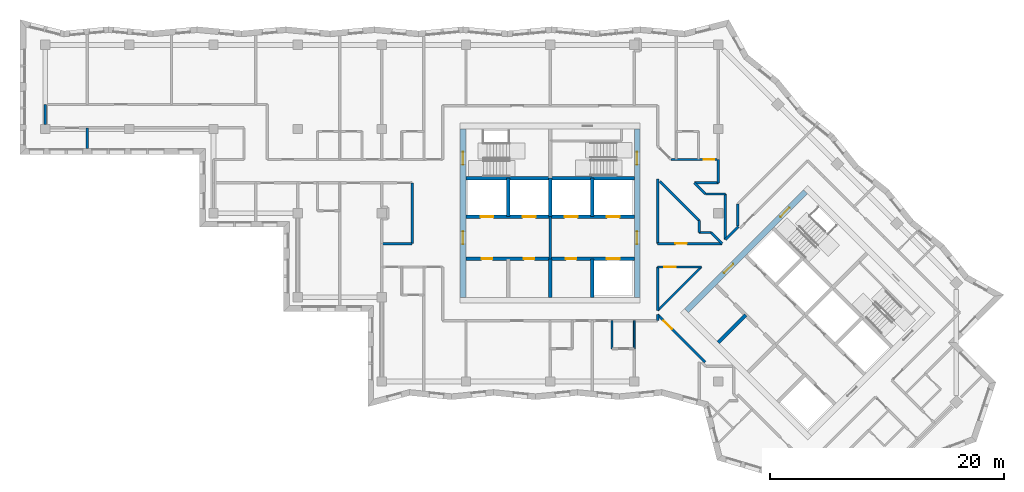
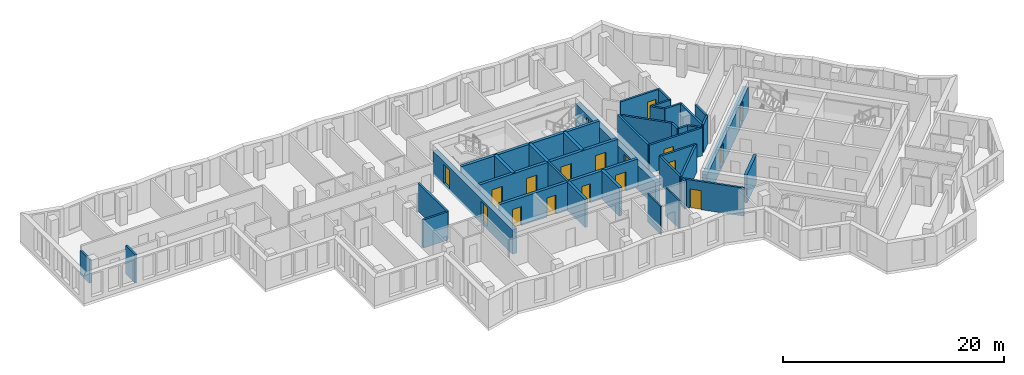
# One storey, part 4 of 11: 39 walls, 18 doors, 18 openings.
"""IFC4 building model written with IfcOpenShell, lengths in metres."""

from ifc_helpers import new_model, si_unit, direction, frame, frame_2d, origin, place, context, subcontext, project, spatial, rectangle, extrude, material, layer, layer_set, type_object, element, fill, save


model = new_model("IFC4")

# Units and contexts
model_context = context("Model", 3, precision=1e-05, world=origin(), true_north=direction((0.0, 1.0)))
body_context = subcontext(model_context, "Body", "Model", "MODEL_VIEW")
ifc_project = project(units=[si_unit("LENGTHUNIT", "METRE"), si_unit("AREAUNIT", "SQUARE_METRE"), si_unit("VOLUMEUNIT", "CUBIC_METRE"), si_unit("PLANEANGLEUNIT", "RADIAN"), si_unit("MASSUNIT", "GRAM", prefix="KILO")], contexts=[model_context])

# Site, building, storey
site_placement = place(None, origin())
site = spatial("IfcSite", under=ifc_project, at=site_placement, CompositionType="ELEMENT")
building_placement = place(site_placement, origin())
building = spatial("IfcBuilding", under=site, at=building_placement, Name="Windrow Commons", CompositionType="ELEMENT")
storey_placement = place(building_placement, frame((0.0, 0.0, 196.4)))
storey = spatial("IfcBuildingStorey", under=building, at=storey_placement, Name="L53", CompositionType="ELEMENT", Elevation=196.4)

# Wall
ifc_material_1 = material(Name="Blockwork partition", Category="masonry")
ifc_layer_1 = layer(ifc_material_1, 0.2)
ifc_layer_set_1 = layer_set([ifc_layer_1], Name="Fire lobby partition 200")
wall_type_1 = type_object("IfcWallType", Name="Fire lobby partition 200", PredefinedType="PARTITIONING", material=ifc_layer_set_1)
wall_1_placement = place(storey_placement, frame((64.8, 53.7, 0.0), z_axis=(0.0, 0.0, 1.0), x_axis=(0.0, 1.0, 0.0)))
element("IfcWall", 1, at=wall_1_placement, inside=storey, type_object=wall_type_1, Name="W-core-lobby-A-L53", PredefinedType="PARTITIONING", context=body_context, shape_type="SweptSolid", body=[
    extrude(rectangle(XDim=3.6, YDim=0.2, at=frame_2d((1.8, 0.0))), origin(), (0.0, 0.0, 1.0), 3.1),
])

# Wall, opening, door
ifc_material_2 = material(Name="Blockwork partition", Category="masonry")
ifc_layer_2 = layer(ifc_material_2, 0.2)
ifc_layer_set_2 = layer_set([ifc_layer_2], Name="IW-CORRIDOR-200")
wall_type_2 = type_object("IfcWallType", Name="IW-CORRIDOR-200", PredefinedType="PARTITIONING", material=ifc_layer_set_2)
wall_2_placement = place(storey_placement, frame((73.9987, 48.9107, 0.0), z_axis=(0.0, 0.0, 1.0), x_axis=(0.7071067812, -0.7071067812, 0.0)))
wall_2 = element("IfcWall", 2, at=wall_2_placement, inside=storey, type_object=wall_type_2, Name="W-L53-W028", PredefinedType="PARTITIONING", context=body_context, shape_type="SweptSolid", body=[
    extrude(rectangle(XDim=5.7445, YDim=0.2, at=frame_2d((2.8723, 0.0))), origin(), (0.0, 0.0, 1.0), 3.1),
])
opening_1_placement = place(wall_2_placement, frame((0.7238, 0.0, 0.0)))
opening_1 = element("IfcOpeningElement", 3, at=opening_1_placement, cuts=wall_2, Name="Opening D310F", PredefinedType="OPENING", context=body_context, shape_type="SweptSolid", body=[
    extrude(rectangle(XDim=1.0, YDim=2.1, at=frame_2d((0.5, 1.05))), frame((0.0, 0.11, 0.0), z_axis=(0.0, -1.0, 0.0), x_axis=(1.0, 0.0, 0.0)), (0.0, 0.0, 1.0), 0.22),
])
ifc_material_3 = material(Name="Timber door leaf", Category="wood")
door_type_1 = type_object("IfcDoorType", Name="DT-AMENITY-1000", OperationType="SINGLE_SWING_LEFT", PredefinedType="DOOR", material=ifc_material_3)
door_1_placement = place(opening_1_placement, origin())
door_1 = element("IfcDoor", 4, at=door_1_placement, inside=storey, type_object=door_type_1, Name="D-L53-D030", OperationType="SINGLE_SWING_LEFT", OverallHeight=2.1, OverallWidth=1.0, PredefinedType="DOOR", context=body_context, shape_type="SweptSolid", body=[
    extrude(rectangle(XDim=1.0, YDim=2.1, at=frame_2d((0.5, 1.05))), frame((0.0, 0.025, 0.0), z_axis=(0.0, -1.0, 0.0), x_axis=(1.0, 0.0, 0.0)), (0.0, 0.0, 1.0), 0.05),
])
fill(opening_1, door_1)

wall_3_placement = place(storey_placement, frame((74.002, 55.0, 0.0), z_axis=(0.0, 0.0, 1.0), x_axis=(1.0, 0.0, 0.0)))
wall_3 = element("IfcWall", 5, at=wall_3_placement, inside=storey, type_object=wall_type_2, Name="W-L53-W030", PredefinedType="PARTITIONING", context=body_context, shape_type="SweptSolid", body=[
    extrude(rectangle(XDim=5.508, YDim=0.2, at=frame_2d((2.754, 0.0))), origin(), (0.0, 0.0, 1.0), 3.1),
])
opening_2_placement = place(wall_3_placement, frame((1.51, 0.0, 0.0)))
opening_2 = element("IfcOpeningElement", 6, at=opening_2_placement, cuts=wall_3, Name="Opening D410F", PredefinedType="OPENING", context=body_context, shape_type="SweptSolid", body=[
    extrude(rectangle(XDim=1.0, YDim=2.1, at=frame_2d((0.5, 1.05))), frame((0.0, 0.11, 0.0), z_axis=(0.0, -1.0, 0.0), x_axis=(1.0, 0.0, 0.0)), (0.0, 0.0, 1.0), 0.22),
])
ifc_material_4 = material(Name="Timber door leaf", Category="wood")
door_type_2 = type_object("IfcDoorType", Name="DT-SERVICE-1000", OperationType="SINGLE_SWING_LEFT", PredefinedType="DOOR", material=ifc_material_4)
door_2_placement = place(opening_2_placement, origin())
door_2 = element("IfcDoor", 7, at=door_2_placement, inside=storey, type_object=door_type_2, Name="D-L53-D031", OperationType="SINGLE_SWING_LEFT", OverallHeight=2.1, OverallWidth=1.0, PredefinedType="DOOR", context=body_context, shape_type="SweptSolid", body=[
    extrude(rectangle(XDim=1.0, YDim=2.1, at=frame_2d((0.5, 1.05))), frame((0.0, 0.025, 0.0), z_axis=(0.0, -1.0, 0.0), x_axis=(1.0, 0.0, 0.0)), (0.0, 0.0, 1.0), 0.05),
])
fill(opening_2, door_2)

# Walls
wall_4_placement = place(storey_placement, frame((74.0, 55.002, 0.0), z_axis=(0.0, 0.0, 1.0), x_axis=(0.0, 1.0, 0.0)))
element("IfcWall", 8, at=wall_4_placement, inside=storey, type_object=wall_type_2, Name="W-L53-W031", PredefinedType="PARTITIONING", context=body_context, shape_type="SweptSolid", body=[
    extrude(rectangle(XDim=5.508, YDim=0.2, at=frame_2d((2.754, 0.0))), origin(), (0.0, 0.0, 1.0), 3.1),
])
wall_5_placement = place(storey_placement, frame((74.0013, 49.2667, 0.0), z_axis=(0.0, 0.0, 1.0), x_axis=(0.7071067812, 0.7071067812, 0.0)))
element("IfcWall", 9, at=wall_5_placement, inside=storey, type_object=wall_type_2, Name="W-L53-W032", PredefinedType="PARTITIONING", context=body_context, shape_type="SweptSolid", body=[
    extrude(rectangle(XDim=5.2778, YDim=0.2, at=frame_2d((2.6389, 0.0))), origin(), (0.0, 0.0, 1.0), 3.1),
])
wall_6_placement = place(storey_placement, frame((53.0, 55.002, 0.0), z_axis=(0.0, 0.0, 1.0), x_axis=(0.0, 1.0, 0.0)))
element("IfcWall", 10, at=wall_6_placement, inside=storey, type_object=wall_type_2, Name="W-L53-W036", PredefinedType="PARTITIONING", context=body_context, shape_type="SweptSolid", body=[
    extrude(rectangle(XDim=5.198, YDim=0.2, at=frame_2d((2.599, 0.0))), origin(), (0.0, 0.0, 1.0), 3.1),
])
wall_7_placement = place(storey_placement, frame((74.1969, 60.3089, 0.0), z_axis=(0.0, 0.0, 1.0), x_axis=(0.7071067812, -0.7071067812, 0.0)))
element("IfcWall", 11, at=wall_7_placement, inside=storey, type_object=wall_type_2, Name="W-L53-W040", PredefinedType="PARTITIONING", context=body_context, shape_type="SweptSolid", body=[
    extrude(rectangle(XDim=4.7376, YDim=0.2, at=frame_2d((2.3688, 0.0))), origin(), (0.0, 0.0, 1.0), 3.1),
])

# Wall, opening, door
wall_8_placement = place(storey_placement, frame((75.142, 62.2, 0.0), z_axis=(0.0, 0.0, 1.0), x_axis=(1.0, 0.0, 0.0)))
wall_8 = element("IfcWall", 12, at=wall_8_placement, inside=storey, type_object=wall_type_2, Name="W-L53-W045", PredefinedType="PARTITIONING", context=body_context, shape_type="SweptSolid", body=[
    extrude(rectangle(XDim=4.058, YDim=0.2, at=frame_2d((2.029, 0.0))), origin(), (0.0, 0.0, 1.0), 3.1),
])
opening_3_placement = place(wall_8_placement, frame((2.808, 0.0, 0.0)))
opening_3 = element("IfcOpeningElement", 13, at=opening_3_placement, cuts=wall_8, Name="Opening D109S", PredefinedType="OPENING", context=body_context, shape_type="SweptSolid", body=[
    extrude(rectangle(XDim=0.9, YDim=2.1, at=frame_2d((0.45, 1.05))), frame((0.0, 0.11, 0.0), z_axis=(0.0, -1.0, 0.0), x_axis=(1.0, 0.0, 0.0)), (0.0, 0.0, 1.0), 0.22),
])
ifc_material_5 = material(Name="Timber door leaf", Category="wood")
door_type_3 = type_object("IfcDoorType", Name="DT-BEDROOM-900", OperationType="SINGLE_SWING_LEFT", PredefinedType="DOOR", material=ifc_material_5)
door_3_placement = place(opening_3_placement, origin())
door_3 = element("IfcDoor", 14, at=door_3_placement, inside=storey, type_object=door_type_3, Name="D-L53-D018", OperationType="SINGLE_SWING_LEFT", OverallHeight=2.1, OverallWidth=0.9, PredefinedType="DOOR", context=body_context, shape_type="SweptSolid", body=[
    extrude(rectangle(XDim=0.9, YDim=2.1, at=frame_2d((0.45, 1.05))), frame((0.0, 0.025, 0.0), z_axis=(0.0, -1.0, 0.0), x_axis=(1.0, 0.0, 0.0)), (0.0, 0.0, 1.0), 0.05),
])
fill(opening_3, door_3)

# Walls
wall_9_placement = place(storey_placement, frame((79.8, 55.35, 0.0), z_axis=(0.0, 0.0, 1.0), x_axis=(0.0, 1.0, 0.0)))
element("IfcWall", 15, at=wall_9_placement, inside=storey, type_object=wall_type_2, Name="W-L53-W047", PredefinedType="PARTITIONING", context=body_context, shape_type="SweptSolid", body=[
    extrude(rectangle(XDim=3.9, YDim=0.2, at=frame_2d((1.95, 0.0))), origin(), (0.0, 0.0, 1.0), 3.1),
])
wall_10_placement = place(storey_placement, frame((74.0, 49.266, 0.0), z_axis=(0.0, 0.0, 1.0), x_axis=(0.0, 1.0, 0.0)))
element("IfcWall", 16, at=wall_10_placement, inside=storey, type_object=wall_type_2, Name="W-L53-W049", PredefinedType="PARTITIONING", context=body_context, shape_type="SweptSolid", body=[
    extrude(rectangle(XDim=3.734, YDim=0.2, at=frame_2d((1.867, 0.0))), origin(), (0.0, 0.0, 1.0), 3.1),
])

# Wall, opening, door
wall_11_placement = place(storey_placement, frame((74.002, 53.0, 0.0), z_axis=(0.0, 0.0, 1.0), x_axis=(1.0, 0.0, 0.0)))
wall_11 = element("IfcWall", 17, at=wall_11_placement, inside=storey, type_object=wall_type_2, Name="W-L53-W050", PredefinedType="PARTITIONING", context=body_context, shape_type="SweptSolid", body=[
    extrude(rectangle(XDim=3.732, YDim=0.2, at=frame_2d((1.866, 0.0))), origin(), (0.0, 0.0, 1.0), 3.1),
])
opening_4_placement = place(wall_11_placement, frame((0.5641, 0.0, 0.0)))
opening_4 = element("IfcOpeningElement", 18, at=opening_4_placement, cuts=wall_11, Name="Opening D410F", PredefinedType="OPENING", context=body_context, shape_type="SweptSolid", body=[
    extrude(rectangle(XDim=1.0, YDim=2.1, at=frame_2d((0.5, 1.05))), frame((0.0, 0.11, 0.0), z_axis=(0.0, -1.0, 0.0), x_axis=(1.0, 0.0, 0.0)), (0.0, 0.0, 1.0), 0.22),
])
door_4_placement = place(opening_4_placement, origin())
door_4 = element("IfcDoor", 19, at=door_4_placement, inside=storey, type_object=door_type_2, Name="D-L53-D000", OperationType="SINGLE_SWING_RIGHT", OverallHeight=2.1, OverallWidth=1.0, PredefinedType="DOOR", context=body_context, shape_type="SweptSolid", body=[
    extrude(rectangle(XDim=1.0, YDim=2.1, at=frame_2d((0.5, 1.05))), frame((0.0, 0.025, 0.0), z_axis=(0.0, -1.0, 0.0), x_axis=(1.0, 0.0, 0.0)), (0.0, 0.0, 1.0), 0.05),
])
fill(opening_4, door_4)

# Walls
wall_12_placement = place(storey_placement, frame((50.4, 55.0, 0.0), z_axis=(0.0, 0.0, 1.0), x_axis=(1.0, 0.0, 0.0)))
element("IfcWall", 20, at=wall_12_placement, inside=storey, type_object=wall_type_2, Name="W-L53-W058", PredefinedType="PARTITIONING", context=body_context, shape_type="SweptSolid", body=[
    extrude(rectangle(XDim=2.6, YDim=0.2, at=frame_2d((1.3, 0.0))), origin(), (0.0, 0.0, 1.0), 3.1),
])
wall_13_placement = place(storey_placement, frame((77.144, 60.2, 0.0), z_axis=(0.0, 0.0, 1.0), x_axis=(1.0, 0.0, 0.0)))
element("IfcWall", 21, at=wall_13_placement, inside=storey, type_object=wall_type_2, Name="W-L53-W094", PredefinedType="PARTITIONING", context=body_context, shape_type="SweptSolid", body=[
    extrude(rectangle(XDim=2.056, YDim=0.2, at=frame_2d((1.028, 0.0))), origin(), (0.0, 0.0, 1.0), 3.1),
])
wall_14_placement = place(storey_placement, frame((79.2, 60.2, 0.0), z_axis=(0.0, 0.0, 1.0), x_axis=(0.0, 1.0, 0.0)))
element("IfcWall", 22, at=wall_14_placement, inside=storey, type_object=wall_type_2, Name="W-L53-W100", PredefinedType="PARTITIONING", context=body_context, shape_type="SweptSolid", body=[
    extrude(rectangle(XDim=2.0, YDim=0.2, at=frame_2d((1.0, 0.0))), origin(), (0.0, 0.0, 1.0), 3.1),
])
wall_15_placement = place(storey_placement, frame((78.092, 59.25, 0.0), z_axis=(0.0, 0.0, 1.0), x_axis=(1.0, 0.0, 0.0)))
element("IfcWall", 23, at=wall_15_placement, inside=storey, type_object=wall_type_2, Name="W-L53-W113", PredefinedType="PARTITIONING", context=body_context, shape_type="SweptSolid", body=[
    extrude(rectangle(XDim=1.708, YDim=0.2, at=frame_2d((0.854, 0.0))), origin(), (0.0, 0.0, 1.0), 3.1),
])
wall_16_placement = place(storey_placement, frame((21.6, 65.2, 0.0), z_axis=(0.0, 0.0, 1.0), x_axis=(0.0, 1.0, 0.0)))
element("IfcWall", 24, at=wall_16_placement, inside=storey, type_object=wall_type_2, Name="W-L53-W114", PredefinedType="PARTITIONING", context=body_context, shape_type="SweptSolid", body=[
    extrude(rectangle(XDim=1.698, YDim=0.2, at=frame_2d((0.849, 0.0))), origin(), (0.0, 0.0, 1.0), 2.6),
])
wall_17_placement = place(storey_placement, frame((79.8028, 55.3472, 0.0), z_axis=(0.0, 0.0, 1.0), x_axis=(0.706460727, 0.7077522457, 0.0)))
element("IfcWall", 25, at=wall_17_placement, inside=storey, type_object=wall_type_2, Name="W-L53-W116", PredefinedType="PARTITIONING", context=body_context, shape_type="SweptSolid", body=[
    extrude(rectangle(XDim=1.5486, YDim=0.2, at=frame_2d((0.7743, 0.0))), origin(), (0.0, 0.0, 1.0), 3.1),
])
for number, where, z_axis, x_axis, name in (
    (26, (78.5589, 55.9469, 0.0), (0.0, 0.0, 1.0), (0.7071067812, -0.7071067812, 0.0), "W-L53-W119"),
    (27, (77.1391, 60.1951, 0.0), (0.0, 0.0, 1.0), (0.7071067812, -0.7071067812, 0.0), "W-L53-W120"),
):
    element("IfcWall", number, at=place(storey_placement, frame(where, z_axis=z_axis, x_axis=x_axis)), inside=storey, type_object=wall_type_2, Name=name, PredefinedType="PARTITIONING", context=body_context, shape_type="SweptSolid", body=[
        extrude(rectangle(XDim=1.3407, YDim=0.2, at=frame_2d((0.6704, 0.0))), origin(), (0.0, 0.0, 1.0), 3.1),
    ])
for number, where, z_axis, x_axis, name in (
    (28, (77.55, 55.952, 0.0), (0.0, 0.0, 1.0), (0.0, 1.0, 0.0), "W-L53-W124"),
    (29, (77.552, 55.95, 0.0), (0.0, 0.0, 1.0), (1.0, 0.0, 0.0), "W-L53-W125"),
):
    element("IfcWall", number, at=place(storey_placement, frame(where, z_axis=z_axis, x_axis=x_axis)), inside=storey, type_object=wall_type_2, Name=name, PredefinedType="PARTITIONING", context=body_context, shape_type="SweptSolid", body=[
        extrude(rectangle(XDim=1.01, YDim=0.2, at=frame_2d((0.505, 0.0))), origin(), (0.0, 0.0, 1.0), 3.1),
    ])
wall_18_placement = place(storey_placement, frame((74.0, 48.4, 0.0), z_axis=(0.0, 0.0, 1.0), x_axis=(0.0, 1.0, 0.0)))
element("IfcWall", 30, at=wall_18_placement, inside=storey, type_object=wall_type_2, Name="W-L53-W129", PredefinedType="PARTITIONING", context=body_context, shape_type="SweptSolid", body=[
    extrude(rectangle(XDim=0.514, YDim=0.2, at=frame_2d((0.257, 0.0))), origin(), (0.0, 0.0, 1.0), 3.1),
])
ifc_material_6 = material(Name="Blockwork partition", Category="masonry")
ifc_layer_3 = layer(ifc_material_6, 0.15)
ifc_layer_set_3 = layer_set([ifc_layer_3], Name="IW-ENSUITE-150")
wall_type_3 = type_object("IfcWallType", Name="IW-ENSUITE-150", PredefinedType="PARTITIONING", material=ifc_layer_set_3)
for number, where, z_axis, x_axis, name in (
    (31, (70.1, 46.0, 0.0), (0.0, 0.0, 1.0), (0.0, 1.0, 0.0), "W-L53-W071"),
    (32, (72.0, 46.0, 0.0), (0.0, 0.0, 1.0), (0.0, 1.0, 0.0), "W-L53-W073"),
):
    element("IfcWall", number, at=place(storey_placement, frame(where, z_axis=z_axis, x_axis=x_axis)), inside=storey, type_object=wall_type_3, Name=name, PredefinedType="PARTITIONING", context=body_context, shape_type="SweptSolid", body=[
        extrude(rectangle(XDim=2.4, YDim=0.15, at=frame_2d((1.2, 0.0))), origin(), (0.0, 0.0, 1.0), 3.1),
    ])
ifc_material_7 = material(Name="Blockwork partition", Category="masonry")
ifc_layer_4 = layer(ifc_material_7, 0.2)
ifc_layer_set_4 = layer_set([ifc_layer_4], Name="IW-PARTY-200")
wall_type_4 = type_object("IfcWallType", Name="IW-PARTY-200", PredefinedType="PARTITIONING", material=ifc_layer_set_4)
wall_19_placement = place(storey_placement, frame((80.85, 56.49, 0.0), z_axis=(0.0, 0.0, 1.0), x_axis=(0.0, 1.0, 0.0)))
element("IfcWall", 33, at=wall_19_placement, inside=storey, type_object=wall_type_4, Name="W-L53-W111", PredefinedType="PARTITIONING", context=body_context, shape_type="SweptSolid", body=[
    extrude(rectangle(XDim=1.886, YDim=0.2, at=frame_2d((0.943, 0.0))), origin(), (0.0, 0.0, 1.0), 3.1),
])
wall_20_placement = place(storey_placement, frame((25.2, 63.139, 0.0), z_axis=(0.0, 0.0, 1.0), x_axis=(0.0, 1.0, 0.0)))
element("IfcWall", 34, at=wall_20_placement, inside=storey, type_object=wall_type_4, Name="W-L53-W112", PredefinedType="PARTITIONING", context=body_context, shape_type="SweptSolid", body=[
    extrude(rectangle(XDim=1.761, YDim=0.2, at=frame_2d((0.8805, 0.0))), origin(), (0.0, 0.0, 1.0), 3.1),
])

# Wall, openings, doors
ifc_material_8 = material(Name="Concrete C40/50", Category="concrete")
ifc_layer_5 = layer(ifc_material_8, 0.5)
ifc_layer_set_5 = layer_set([ifc_layer_5], Name="RC CORE WALL 500 C40/50")
wall_type_5 = type_object("IfcWallType", Name="RC CORE WALL 500 C40/50", PredefinedType="SHEAR", material=ifc_layer_set_5)
wall_21_placement = place(storey_placement, frame((57.35, 50.4, -0.3), z_axis=(0.0, 0.0, 1.0), x_axis=(0.0, 1.0, 0.0)))
wall_21 = element("IfcWall", 35, at=wall_21_placement, inside=storey, type_object=wall_type_5, Name="Core A wall outer-W", PredefinedType="SHEAR", context=body_context, shape_type="SweptSolid", body=[
    extrude(rectangle(XDim=14.4, YDim=0.5, at=frame_2d((7.2, 0.0))), origin(), (0.0, 0.0, 1.0), 2.7),
])
opening_5_placement = place(wall_21_placement, frame((4.55, 0.0, 0.3)))
opening_5 = element("IfcOpeningElement", 36, at=opening_5_placement, cuts=wall_21, Name="Opening D6", PredefinedType="OPENING", context=body_context, shape_type="SweptSolid", body=[
    extrude(rectangle(XDim=1.1, YDim=2.1, at=frame_2d((0.55, 1.05))), frame((0.0, 0.26, 0.0), z_axis=(0.0, -1.0, 0.0), x_axis=(1.0, 0.0, 0.0)), (0.0, 0.0, 1.0), 0.52),
])
opening_6_placement = place(wall_21_placement, frame((11.35, 0.0, 0.3)))
opening_6 = element("IfcOpeningElement", 37, at=opening_6_placement, cuts=wall_21, Name="Opening D7", PredefinedType="OPENING", context=body_context, shape_type="SweptSolid", body=[
    extrude(rectangle(XDim=1.1, YDim=2.1, at=frame_2d((0.55, 1.05))), frame((0.0, 0.26, 0.0), z_axis=(0.0, -1.0, 0.0), x_axis=(1.0, 0.0, 0.0)), (0.0, 0.0, 1.0), 0.52),
])
ifc_material_9 = material(Name="Steel fire door leaf", Category="steel")
door_type_4 = type_object("IfcDoorType", Name="Core lobby door 1100", OperationType="SINGLE_SWING_LEFT", PredefinedType="DOOR", material=ifc_material_9)
door_5_placement = place(opening_5_placement, origin())
door_5 = element("IfcDoor", 38, at=door_5_placement, inside=storey, type_object=door_type_4, Name="Lift lobby door", OperationType="DOUBLE_DOOR_SINGLE_SWING", OverallHeight=2.1, OverallWidth=1.1, PredefinedType="DOOR", context=body_context, shape_type="SweptSolid", body=[
    extrude(rectangle(XDim=1.1, YDim=2.1, at=frame_2d((0.55, 1.05))), frame((0.0, 0.025, 0.0), z_axis=(0.0, -1.0, 0.0), x_axis=(1.0, 0.0, 0.0)), (0.0, 0.0, 1.0), 0.05),
])
fill(opening_5, door_5)
ifc_material_10 = material(Name="Steel fire door leaf", Category="steel")
door_type_5 = type_object("IfcDoorType", Name="Stair door 1100", OperationType="SINGLE_SWING_LEFT", PredefinedType="DOOR", material=ifc_material_10)
door_6_placement = place(opening_6_placement, origin())
door_6 = element("IfcDoor", 39, at=door_6_placement, inside=storey, type_object=door_type_5, Name="Stair door", OperationType="SINGLE_SWING_LEFT", OverallHeight=2.1, OverallWidth=1.1, PredefinedType="DOOR", context=body_context, shape_type="SweptSolid", body=[
    extrude(rectangle(XDim=1.1, YDim=2.1, at=frame_2d((0.55, 1.05))), frame((0.0, 0.025, 0.0), z_axis=(0.0, -1.0, 0.0), x_axis=(1.0, 0.0, 0.0)), (0.0, 0.0, 1.0), 0.05),
])
fill(opening_6, door_6)

wall_22_placement = place(storey_placement, frame((72.25, 50.4, -0.3), z_axis=(0.0, 0.0, 1.0), x_axis=(0.0, 1.0, 0.0)))
wall_22 = element("IfcWall", 40, at=wall_22_placement, inside=storey, type_object=wall_type_5, Name="Core A wall outer-E", PredefinedType="SHEAR", context=body_context, shape_type="SweptSolid", body=[
    extrude(rectangle(XDim=14.4, YDim=0.5, at=frame_2d((7.2, 0.0))), origin(), (0.0, 0.0, 1.0), 2.7),
])
opening_7_placement = place(wall_22_placement, frame((4.55, 0.0, 0.3)))
opening_7 = element("IfcOpeningElement", 41, at=opening_7_placement, cuts=wall_22, Name="Opening D6", PredefinedType="OPENING", context=body_context, shape_type="SweptSolid", body=[
    extrude(rectangle(XDim=1.1, YDim=2.1, at=frame_2d((0.55, 1.05))), frame((0.0, 0.26, 0.0), z_axis=(0.0, -1.0, 0.0), x_axis=(1.0, 0.0, 0.0)), (0.0, 0.0, 1.0), 0.52),
])
opening_8_placement = place(wall_22_placement, frame((11.35, 0.0, 0.3)))
opening_8 = element("IfcOpeningElement", 42, at=opening_8_placement, cuts=wall_22, Name="Opening D7", PredefinedType="OPENING", context=body_context, shape_type="SweptSolid", body=[
    extrude(rectangle(XDim=1.1, YDim=2.1, at=frame_2d((0.55, 1.05))), frame((0.0, 0.26, 0.0), z_axis=(0.0, -1.0, 0.0), x_axis=(1.0, 0.0, 0.0)), (0.0, 0.0, 1.0), 0.52),
])
door_7_placement = place(opening_7_placement, origin())
door_7 = element("IfcDoor", 43, at=door_7_placement, inside=storey, type_object=door_type_4, Name="Lift lobby door", OperationType="DOUBLE_DOOR_SINGLE_SWING", OverallHeight=2.1, OverallWidth=1.1, PredefinedType="DOOR", context=body_context, shape_type="SweptSolid", body=[
    extrude(rectangle(XDim=1.1, YDim=2.1, at=frame_2d((0.55, 1.05))), frame((0.0, 0.025, 0.0), z_axis=(0.0, -1.0, 0.0), x_axis=(1.0, 0.0, 0.0)), (0.0, 0.0, 1.0), 0.05),
])
fill(opening_7, door_7)
door_8_placement = place(opening_8_placement, origin())
door_8 = element("IfcDoor", 44, at=door_8_placement, inside=storey, type_object=door_type_5, Name="Stair door", OperationType="SINGLE_SWING_RIGHT", OverallHeight=2.1, OverallWidth=1.1, PredefinedType="DOOR", context=body_context, shape_type="SweptSolid", body=[
    extrude(rectangle(XDim=1.1, YDim=2.1, at=frame_2d((0.55, 1.05))), frame((0.0, 0.025, 0.0), z_axis=(0.0, -1.0, 0.0), x_axis=(1.0, 0.0, 0.0)), (0.0, 0.0, 1.0), 0.05),
])
fill(opening_8, door_8)

wall_23_placement = place(storey_placement, frame((76.4776, 49.2665, -0.3), z_axis=(0.0, 0.0, 1.0), x_axis=(0.7071067812, 0.7071067812, 0.0)))
wall_23 = element("IfcWall", 45, at=wall_23_placement, inside=storey, type_object=wall_type_5, Name="Core B wall outer-W", PredefinedType="SHEAR", context=body_context, shape_type="SweptSolid", body=[
    extrude(rectangle(XDim=14.4001, YDim=0.5, at=frame_2d((7.2001, 0.0))), origin(), (0.0, 0.0, 1.0), 2.7),
])
opening_9_placement = place(wall_23_placement, frame((4.55, 0.0, 0.3)))
opening_9 = element("IfcOpeningElement", 46, at=opening_9_placement, cuts=wall_23, Name="Opening D6", PredefinedType="OPENING", context=body_context, shape_type="SweptSolid", body=[
    extrude(rectangle(XDim=1.1, YDim=2.1, at=frame_2d((0.55, 1.05))), frame((0.0, 0.26, 0.0), z_axis=(0.0, -1.0, 0.0), x_axis=(1.0, 0.0, 0.0)), (0.0, 0.0, 1.0), 0.52),
])
opening_10_placement = place(wall_23_placement, frame((11.35, 0.0, 0.3)))
opening_10 = element("IfcOpeningElement", 47, at=opening_10_placement, cuts=wall_23, Name="Opening D7", PredefinedType="OPENING", context=body_context, shape_type="SweptSolid", body=[
    extrude(rectangle(XDim=1.1, YDim=2.1, at=frame_2d((0.55, 1.05))), frame((0.0, 0.26, 0.0), z_axis=(0.0, -1.0, 0.0), x_axis=(1.0, 0.0, 0.0)), (0.0, 0.0, 1.0), 0.52),
])
door_9_placement = place(opening_9_placement, origin())
door_9 = element("IfcDoor", 48, at=door_9_placement, inside=storey, type_object=door_type_4, Name="Lift lobby door", OperationType="DOUBLE_DOOR_SINGLE_SWING", OverallHeight=2.1, OverallWidth=1.1, PredefinedType="DOOR", context=body_context, shape_type="SweptSolid", body=[
    extrude(rectangle(XDim=1.1, YDim=2.1, at=frame_2d((0.55, 1.05))), frame((0.0, 0.025, 0.0), z_axis=(0.0, -1.0, 0.0), x_axis=(1.0, 0.0, 0.0)), (0.0, 0.0, 1.0), 0.05),
])
fill(opening_9, door_9)
door_10_placement = place(opening_10_placement, origin())
door_10 = element("IfcDoor", 49, at=door_10_placement, inside=storey, type_object=door_type_5, Name="Stair door", OperationType="SINGLE_SWING_LEFT", OverallHeight=2.1, OverallWidth=1.1, PredefinedType="DOOR", context=body_context, shape_type="SweptSolid", body=[
    extrude(rectangle(XDim=1.1, YDim=2.1, at=frame_2d((0.55, 1.05))), frame((0.0, 0.025, 0.0), z_axis=(0.0, -1.0, 0.0), x_axis=(1.0, 0.0, 0.0)), (0.0, 0.0, 1.0), 0.05),
])
fill(opening_10, door_10)

# Walls
ifc_material_11 = material(Name="Concrete C40/50", Category="concrete")
ifc_layer_6 = layer(ifc_material_11, 0.3)
ifc_layer_set_6 = layer_set([ifc_layer_6], Name="RC SHAFT WALL 300 C40/50")
wall_type_6 = type_object("IfcWallType", Name="RC SHAFT WALL 300 C40/50", PredefinedType="SOLIDWALL", material=ifc_layer_set_6)
for number, where, z_axis, x_axis, name in (
    (50, (61.2, 57.3, 0.0), (0.0, 0.0, 1.0), (0.0, 1.0, 0.0), "Core A wall shaft-N1"),
    (51, (64.8, 50.4, 0.0), (0.0, 0.0, 1.0), (0.0, 1.0, 0.0), "Core A wall shaft-S2"),
    (52, (64.8, 57.3, 0.0), (0.0, 0.0, 1.0), (0.0, 1.0, 0.0), "Core A wall shaft-N2"),
    (53, (68.4, 50.4, 0.0), (0.0, 0.0, 1.0), (0.0, 1.0, 0.0), "Core A wall shaft-S3"),
    (54, (68.4, 57.3, 0.0), (0.0, 0.0, 1.0), (0.0, 1.0, 0.0), "Core A wall shaft-N3"),
):
    element("IfcWall", number, at=place(storey_placement, frame(where, z_axis=z_axis, x_axis=x_axis)), inside=storey, type_object=wall_type_6, Name=name, PredefinedType="SOLIDWALL", context=body_context, shape_type="SweptSolid", body=[
        extrude(rectangle(XDim=3.3, YDim=0.3, at=frame_2d((1.65, 0.0))), origin(), (0.0, 0.0, 1.0), 3.1),
    ])

# Wall, openings, doors
wall_24_placement = place(storey_placement, frame((57.6, 53.7, 0.0), z_axis=(0.0, 0.0, 1.0), x_axis=(1.0, 0.0, 0.0)))
wall_24 = element("IfcWall", 55, at=wall_24_placement, inside=storey, type_object=wall_type_6, Name="Core A wall lobby-S", PredefinedType="SOLIDWALL", context=body_context, shape_type="SweptSolid", body=[
    extrude(rectangle(XDim=14.4, YDim=0.3, at=frame_2d((7.2, 0.0))), origin(), (0.0, 0.0, 1.0), 3.1),
])
opening_11_placement = place(wall_24_placement, frame((1.35, 0.0, 0.0)))
opening_11 = element("IfcOpeningElement", 56, at=opening_11_placement, cuts=wall_24, Name="Opening D8", PredefinedType="OPENING", context=body_context, shape_type="SweptSolid", body=[
    extrude(rectangle(XDim=0.9, YDim=2.1, at=frame_2d((0.45, 1.05))), frame((0.0, 0.16, 0.0), z_axis=(0.0, -1.0, 0.0), x_axis=(1.0, 0.0, 0.0)), (0.0, 0.0, 1.0), 0.32),
])
opening_12_placement = place(wall_24_placement, frame((4.95, 0.0, 0.0)))
opening_12 = element("IfcOpeningElement", 57, at=opening_12_placement, cuts=wall_24, Name="Opening D8", PredefinedType="OPENING", context=body_context, shape_type="SweptSolid", body=[
    extrude(rectangle(XDim=0.9, YDim=2.1, at=frame_2d((0.45, 1.05))), frame((0.0, 0.16, 0.0), z_axis=(0.0, -1.0, 0.0), x_axis=(1.0, 0.0, 0.0)), (0.0, 0.0, 1.0), 0.32),
])
opening_13_placement = place(wall_24_placement, frame((8.55, 0.0, 0.0)))
opening_13 = element("IfcOpeningElement", 58, at=opening_13_placement, cuts=wall_24, Name="Opening D8", PredefinedType="OPENING", context=body_context, shape_type="SweptSolid", body=[
    extrude(rectangle(XDim=0.9, YDim=2.1, at=frame_2d((0.45, 1.05))), frame((0.0, 0.16, 0.0), z_axis=(0.0, -1.0, 0.0), x_axis=(1.0, 0.0, 0.0)), (0.0, 0.0, 1.0), 0.32),
])
opening_14_placement = place(wall_24_placement, frame((12.05, 0.0, 0.0)))
opening_14 = element("IfcOpeningElement", 59, at=opening_14_placement, cuts=wall_24, Name="Opening LD", PredefinedType="OPENING", context=body_context, shape_type="SweptSolid", body=[
    extrude(rectangle(XDim=1.1, YDim=2.1, at=frame_2d((0.55, 1.05))), frame((0.0, 0.16, 0.0), z_axis=(0.0, -1.0, 0.0), x_axis=(1.0, 0.0, 0.0)), (0.0, 0.0, 1.0), 0.32),
])
ifc_material_12 = material(Name="Steel fire door leaf", Category="steel")
door_type_6 = type_object("IfcDoorType", Name="Core store door 900", OperationType="SINGLE_SWING_LEFT", PredefinedType="DOOR", material=ifc_material_12)
door_11_placement = place(opening_11_placement, origin())
door_11 = element("IfcDoor", 60, at=door_11_placement, inside=storey, type_object=door_type_6, Name="Store door", OperationType="SINGLE_SWING_LEFT", OverallHeight=2.1, OverallWidth=0.9, PredefinedType="DOOR", context=body_context, shape_type="SweptSolid", body=[
    extrude(rectangle(XDim=0.9, YDim=2.1, at=frame_2d((0.45, 1.05))), frame((0.0, 0.025, 0.0), z_axis=(0.0, -1.0, 0.0), x_axis=(1.0, 0.0, 0.0)), (0.0, 0.0, 1.0), 0.05),
])
fill(opening_11, door_11)
door_12_placement = place(opening_12_placement, origin())
door_12 = element("IfcDoor", 61, at=door_12_placement, inside=storey, type_object=door_type_6, Name="Store door", OperationType="SINGLE_SWING_LEFT", OverallHeight=2.1, OverallWidth=0.9, PredefinedType="DOOR", context=body_context, shape_type="SweptSolid", body=[
    extrude(rectangle(XDim=0.9, YDim=2.1, at=frame_2d((0.45, 1.05))), frame((0.0, 0.025, 0.0), z_axis=(0.0, -1.0, 0.0), x_axis=(1.0, 0.0, 0.0)), (0.0, 0.0, 1.0), 0.05),
])
fill(opening_12, door_12)
door_13_placement = place(opening_13_placement, origin())
door_13 = element("IfcDoor", 62, at=door_13_placement, inside=storey, type_object=door_type_6, Name="Store door", OperationType="SINGLE_SWING_LEFT", OverallHeight=2.1, OverallWidth=0.9, PredefinedType="DOOR", context=body_context, shape_type="SweptSolid", body=[
    extrude(rectangle(XDim=0.9, YDim=2.1, at=frame_2d((0.45, 1.05))), frame((0.0, 0.025, 0.0), z_axis=(0.0, -1.0, 0.0), x_axis=(1.0, 0.0, 0.0)), (0.0, 0.0, 1.0), 0.05),
])
fill(opening_13, door_13)
ifc_material_13 = material(Name="Stainless steel door leaf", Category="steel")
door_type_7 = type_object("IfcDoorType", Name="Lift landing door 1100", OperationType="SLIDING_TO_LEFT", PredefinedType="DOOR", material=ifc_material_13)
door_14_placement = place(opening_14_placement, origin())
door_14 = element("IfcDoor", 63, at=door_14_placement, inside=storey, type_object=door_type_7, Name="Lift landing door", OperationType="SLIDING_TO_RIGHT", OverallHeight=2.1, OverallWidth=1.1, PredefinedType="DOOR", context=body_context, shape_type="SweptSolid", body=[
    extrude(rectangle(XDim=1.1, YDim=2.1, at=frame_2d((0.55, 1.05))), frame((0.0, 0.025, 0.0), z_axis=(0.0, -1.0, 0.0), x_axis=(1.0, 0.0, 0.0)), (0.0, 0.0, 1.0), 0.05),
])
fill(opening_14, door_14)

wall_25_placement = place(storey_placement, frame((57.6, 57.3, 0.0), z_axis=(0.0, 0.0, 1.0), x_axis=(1.0, 0.0, 0.0)))
wall_25 = element("IfcWall", 64, at=wall_25_placement, inside=storey, type_object=wall_type_6, Name="Core A wall lobby-N", PredefinedType="SOLIDWALL", context=body_context, shape_type="SweptSolid", body=[
    extrude(rectangle(XDim=14.4, YDim=0.3, at=frame_2d((7.2, 0.0))), origin(), (0.0, 0.0, 1.0), 3.1),
])
opening_15_placement = place(wall_25_placement, frame((1.25, 0.0, 0.0)))
opening_15 = element("IfcOpeningElement", 65, at=opening_15_placement, cuts=wall_25, Name="Opening LD", PredefinedType="OPENING", context=body_context, shape_type="SweptSolid", body=[
    extrude(rectangle(XDim=1.1, YDim=2.1, at=frame_2d((0.55, 1.05))), frame((0.0, 0.16, 0.0), z_axis=(0.0, -1.0, 0.0), x_axis=(1.0, 0.0, 0.0)), (0.0, 0.0, 1.0), 0.32),
])
opening_16_placement = place(wall_25_placement, frame((4.85, 0.0, 0.0)))
opening_16 = element("IfcOpeningElement", 66, at=opening_16_placement, cuts=wall_25, Name="Opening LD", PredefinedType="OPENING", context=body_context, shape_type="SweptSolid", body=[
    extrude(rectangle(XDim=1.1, YDim=2.1, at=frame_2d((0.55, 1.05))), frame((0.0, 0.16, 0.0), z_axis=(0.0, -1.0, 0.0), x_axis=(1.0, 0.0, 0.0)), (0.0, 0.0, 1.0), 0.32),
])
opening_17_placement = place(wall_25_placement, frame((8.45, 0.0, 0.0)))
opening_17 = element("IfcOpeningElement", 67, at=opening_17_placement, cuts=wall_25, Name="Opening LD", PredefinedType="OPENING", context=body_context, shape_type="SweptSolid", body=[
    extrude(rectangle(XDim=1.1, YDim=2.1, at=frame_2d((0.55, 1.05))), frame((0.0, 0.16, 0.0), z_axis=(0.0, -1.0, 0.0), x_axis=(1.0, 0.0, 0.0)), (0.0, 0.0, 1.0), 0.32),
])
opening_18_placement = place(wall_25_placement, frame((12.05, 0.0, 0.0)))
opening_18 = element("IfcOpeningElement", 68, at=opening_18_placement, cuts=wall_25, Name="Opening LD", PredefinedType="OPENING", context=body_context, shape_type="SweptSolid", body=[
    extrude(rectangle(XDim=1.1, YDim=2.1, at=frame_2d((0.55, 1.05))), frame((0.0, 0.16, 0.0), z_axis=(0.0, -1.0, 0.0), x_axis=(1.0, 0.0, 0.0)), (0.0, 0.0, 1.0), 0.32),
])
door_15_placement = place(opening_15_placement, origin())
door_15 = element("IfcDoor", 69, at=door_15_placement, inside=storey, type_object=door_type_7, Name="Lift landing door", OperationType="SLIDING_TO_LEFT", OverallHeight=2.1, OverallWidth=1.1, PredefinedType="DOOR", context=body_context, shape_type="SweptSolid", body=[
    extrude(rectangle(XDim=1.1, YDim=2.1, at=frame_2d((0.55, 1.05))), frame((0.0, 0.025, 0.0), z_axis=(0.0, -1.0, 0.0), x_axis=(1.0, 0.0, 0.0)), (0.0, 0.0, 1.0), 0.05),
])
fill(opening_15, door_15)
door_16_placement = place(opening_16_placement, origin())
door_16 = element("IfcDoor", 70, at=door_16_placement, inside=storey, type_object=door_type_7, Name="Lift landing door", OperationType="SLIDING_TO_RIGHT", OverallHeight=2.1, OverallWidth=1.1, PredefinedType="DOOR", context=body_context, shape_type="SweptSolid", body=[
    extrude(rectangle(XDim=1.1, YDim=2.1, at=frame_2d((0.55, 1.05))), frame((0.0, 0.025, 0.0), z_axis=(0.0, -1.0, 0.0), x_axis=(1.0, 0.0, 0.0)), (0.0, 0.0, 1.0), 0.05),
])
fill(opening_16, door_16)
door_17_placement = place(opening_17_placement, origin())
door_17 = element("IfcDoor", 71, at=door_17_placement, inside=storey, type_object=door_type_7, Name="Lift landing door", OperationType="SLIDING_TO_LEFT", OverallHeight=2.1, OverallWidth=1.1, PredefinedType="DOOR", context=body_context, shape_type="SweptSolid", body=[
    extrude(rectangle(XDim=1.1, YDim=2.1, at=frame_2d((0.55, 1.05))), frame((0.0, 0.025, 0.0), z_axis=(0.0, -1.0, 0.0), x_axis=(1.0, 0.0, 0.0)), (0.0, 0.0, 1.0), 0.05),
])
fill(opening_17, door_17)
door_18_placement = place(opening_18_placement, origin())
door_18 = element("IfcDoor", 72, at=door_18_placement, inside=storey, type_object=door_type_7, Name="Lift landing door", OperationType="SLIDING_TO_RIGHT", OverallHeight=2.1, OverallWidth=1.1, PredefinedType="DOOR", context=body_context, shape_type="SweptSolid", body=[
    extrude(rectangle(XDim=1.1, YDim=2.1, at=frame_2d((0.55, 1.05))), frame((0.0, 0.025, 0.0), z_axis=(0.0, -1.0, 0.0), x_axis=(1.0, 0.0, 0.0)), (0.0, 0.0, 1.0), 0.05),
])
fill(opening_18, door_18)

# Walls
for number, where, z_axis, x_axis, name in (
    (73, (57.6, 60.6, 0.0), (0.0, 0.0, 1.0), (1.0, 0.0, 0.0), "Core A wall stair-S"),
    (74, (64.8, 60.6, 0.0), (0.0, 0.0, 1.0), (1.0, 0.0, 0.0), "Core A wall stair-S2"),
):
    element("IfcWall", number, at=place(storey_placement, frame(where, z_axis=z_axis, x_axis=x_axis)), inside=storey, type_object=wall_type_6, Name=name, PredefinedType="SOLIDWALL", context=body_context, shape_type="SweptSolid", body=[
        extrude(rectangle(XDim=7.2, YDim=0.3, at=frame_2d((3.6, 0.0))), origin(), (0.0, 0.0, 1.0), 3.1),
    ])
wall_26_placement = place(storey_placement, frame((79.2, 46.5442, 0.0), z_axis=(0.0, 0.0, 1.0), x_axis=(0.7071219326, 0.7070916295, 0.0)))
element("IfcWall", 75, at=wall_26_placement, inside=storey, type_object=wall_type_6, Name="Core B wall shaft-S1", PredefinedType="SOLIDWALL", context=body_context, shape_type="SweptSolid", body=[
    extrude(rectangle(XDim=3.3, YDim=0.3, at=frame_2d((1.65, 0.0))), origin(), (0.0, 0.0, 1.0), 3.1),
])

save(model, "model.ifc")
